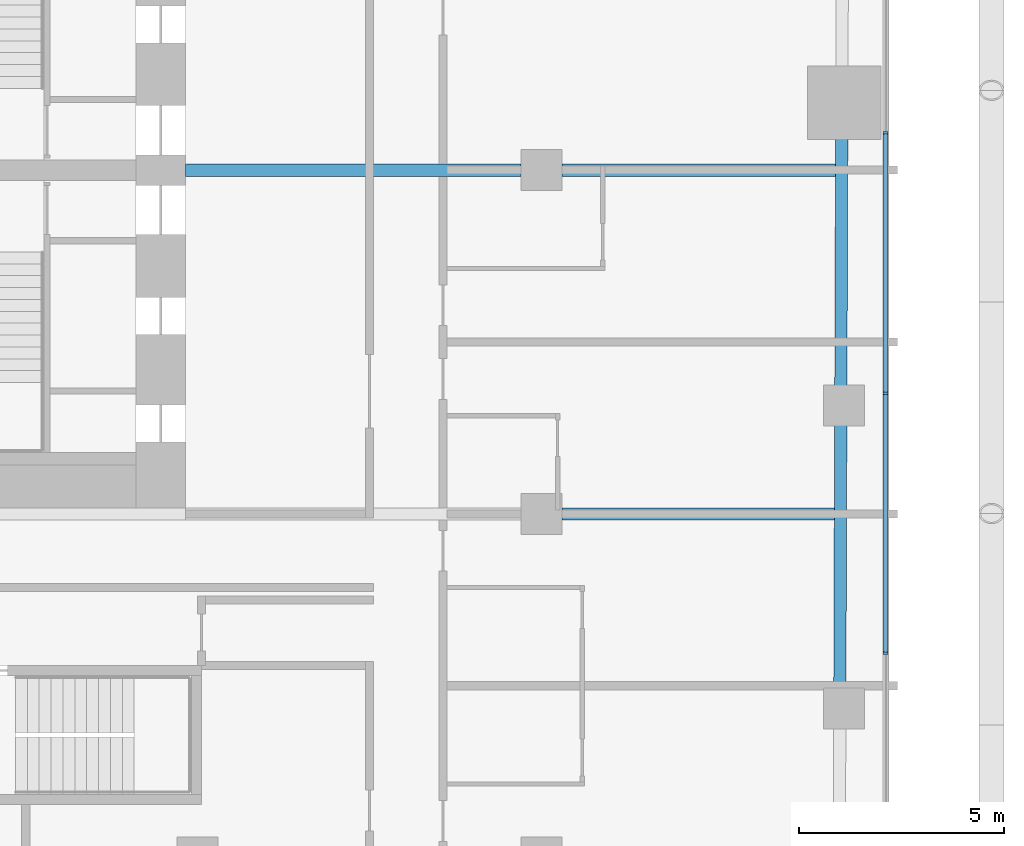
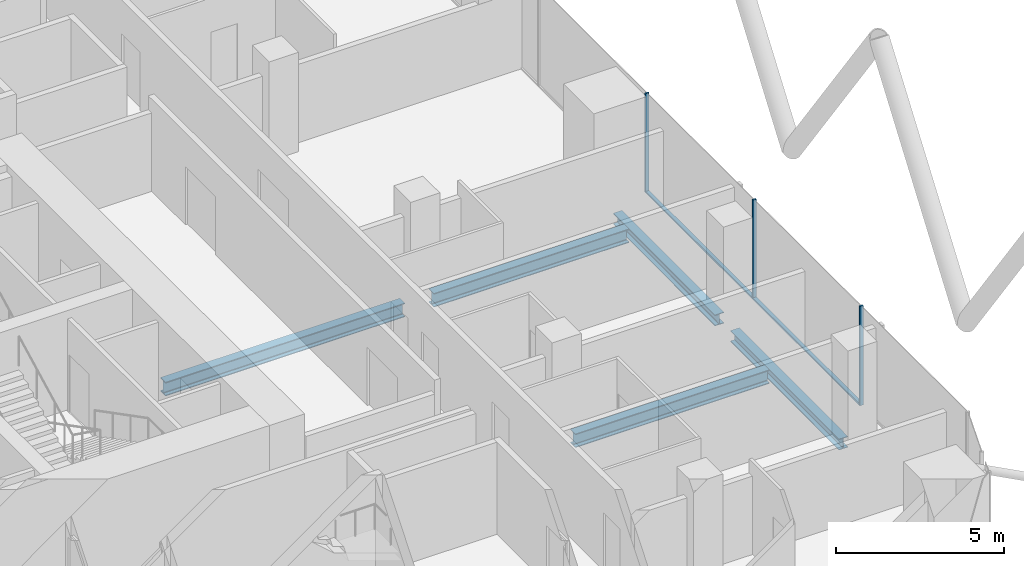
# One storey, part 8 of 35: 5 beams, 5 members, 1 element without a shape of its own.
"""IFC4 building model written with IfcOpenShell, lengths in metres."""

from ifc_helpers import new_model, si_unit, direction, frame, origin, origin_2d, place, context, subcontext, project, spatial, rectangle, i_section, extrude, material, layer, layer_set, material_profile, profile_set, type_object, element, aggregate, save


model = new_model("IFC4")

# Units and contexts
model_context = context("Model", 3, precision=1e-05, world=origin(), true_north=direction((0.0, 1.0)))
body_context = subcontext(model_context, "Body", "Model", "MODEL_VIEW")
ifc_project = project(units=[si_unit("LENGTHUNIT", "METRE"), si_unit("AREAUNIT", "SQUARE_METRE"), si_unit("VOLUMEUNIT", "CUBIC_METRE"), si_unit("PLANEANGLEUNIT", "RADIAN"), si_unit("MASSUNIT", "GRAM", prefix="KILO")], contexts=[model_context])

# Site, building, storey
site_placement = place(None, origin())
site = spatial("IfcSite", under=ifc_project, at=site_placement, CompositionType="ELEMENT")
building_placement = place(site_placement, origin())
building = spatial("IfcBuilding", under=site, at=building_placement, Name="Marenta Gate Hotel Tower", CompositionType="ELEMENT")
storey_placement = place(building_placement, frame((0.0, 0.0, 61.699951171875)))
storey = spatial("IfcBuildingStorey", under=building, at=storey_placement, Name="L13", CompositionType="ELEMENT", Elevation=61.699951171875)

# Beams
ifc_material_1 = material(Name="Steel S355", Category="steel")
ifc_material_profile_1 = material_profile(ifc_material_1, i_section(OverallWidth=0.300048828125, OverallDepth=0.39990234375, WebThickness=0.013427734375, FlangeThickness=0.02392578125, FilletRadius=0.027099609375, at=origin_2d()), Name="HEB 400")
ifc_profile_set_1 = profile_set([ifc_material_profile_1], Name="Steel S355")
beam_type_1 = type_object("IfcBeamType", Name="Edge beam HEB 400", PredefinedType="SPANDREL", material=ifc_profile_set_1)
beam_1_placement = place(storey_placement, frame((28.3388671875, 9.18994140625, -0.4599609375), z_axis=(-0.003332378012, -0.999994447613, 0.0), x_axis=(0.999994447613, -0.003332378012, 0.0)))
element("IfcBeam", 1, at=beam_1_placement, inside=storey, type_object=beam_type_1, Name="L13-EB-25", PredefinedType="SPANDREL", context=body_context, shape_type="SweptSolid", body=[
    extrude(i_section(OverallWidth=0.300048828125, OverallDepth=0.39990234375, WebThickness=0.013427734375, FlangeThickness=0.02392578125, FilletRadius=0.027099609375, at=origin_2d()), origin(), (0.0, 0.0, 1.0), 6.080810546875),
])
beam_2_placement = place(storey_placement, frame((28.315673828125, 2.189208984375, -0.4599609375), z_axis=(-0.003352525703, -0.99999438027, 0.0), x_axis=(0.99999438027, -0.003352525703, 0.0)))
element("IfcBeam", 2, at=beam_2_placement, inside=storey, type_object=beam_type_1, Name="L13-EB-26", PredefinedType="SPANDREL", context=body_context, shape_type="SweptSolid", body=[
    extrude(i_section(OverallWidth=0.300048828125, OverallDepth=0.39990234375, WebThickness=0.013427734375, FlangeThickness=0.02392578125, FilletRadius=0.027099609375, at=origin_2d()), origin(), (0.0, 0.0, 1.0), 6.481201171875),
])
ifc_material_2 = material(Name="Steel S355", Category="steel")
ifc_material_profile_2 = material_profile(ifc_material_2, i_section(OverallWidth=0.300048828125, OverallDepth=0.5, WebThickness=0.014404296875, FlangeThickness=0.028076171875, FilletRadius=0.027099609375, at=origin_2d()), Name="HEB 500")
ifc_profile_set_2 = profile_set([ifc_material_profile_2], Name="Steel S355")
beam_type_2 = type_object("IfcBeamType", Name="Girder HEB 500", PredefinedType="BEAM", material=ifc_profile_set_2)
beam_3_placement = place(storey_placement, frame((21.5, 0.0, -0.510009765625), z_axis=(1.0, 0.0, 0.0), x_axis=(0.0, 1.0, 0.0)))
element("IfcBeam", 3, at=beam_3_placement, inside=storey, type_object=beam_type_2, Name="L13-GD-12", PredefinedType="BEAM", context=body_context, shape_type="SweptSolid", body=[
    extrude(i_section(OverallWidth=0.300048828125, OverallDepth=0.5, WebThickness=0.014404296875, FlangeThickness=0.028076171875, FilletRadius=0.027099609375, at=origin_2d()), origin(), (0.0, 0.0, 1.0), 6.658203125),
])
beam_4_placement = place(storey_placement, frame((12.300048828125, 8.39990234375, -0.510009765625), z_axis=(1.0, 0.0, 0.0), x_axis=(0.0, 1.0, 0.0)))
element("IfcBeam", 4, at=beam_4_placement, inside=storey, type_object=beam_type_2, Name="L13-GD-15", PredefinedType="BEAM", context=body_context, shape_type="SweptSolid", body=[
    extrude(i_section(OverallWidth=0.300048828125, OverallDepth=0.5, WebThickness=0.014404296875, FlangeThickness=0.028076171875, FilletRadius=0.027099609375, at=origin_2d()), origin(), (0.0, 0.0, 1.0), 8.199951171875),
])
beam_5_placement = place(storey_placement, frame((21.5, 8.39990234375, -0.510009765625), z_axis=(1.0, 0.0, 0.0), x_axis=(0.0, 1.0, 0.0)))
element("IfcBeam", 5, at=beam_5_placement, inside=storey, type_object=beam_type_2, Name="L13-GD-16", PredefinedType="BEAM", context=body_context, shape_type="SweptSolid", body=[
    extrude(i_section(OverallWidth=0.300048828125, OverallDepth=0.5, WebThickness=0.014404296875, FlangeThickness=0.028076171875, FilletRadius=0.027099609375, at=origin_2d()), origin(), (0.0, 0.0, 1.0), 6.686279296875),
])

# Curtain wall, members
ifc_material_3 = material(Name="Tinted insulated glass in bronze anodised frame", Category="glass")
ifc_layer = layer(ifc_material_3, 0.1201171875)
ifc_layer_set = layer_set([ifc_layer], Name="Tinted insulated glass in bronze anodised frame")
curtain_wall_type = type_object("IfcCurtainWallType", Name="Tower unitised curtain wall CW1", PredefinedType="NOTDEFINED", material=ifc_layer_set)
curtain_wall_placement = place(storey_placement, origin())
curtain_wall = element("IfcCurtainWall", 6, at=curtain_wall_placement, inside=storey, type_object=curtain_wall_type, Name="CW1 run G18", PredefinedType="NOTDEFINED")
ifc_material_4 = material(Name="Bronze anodised aluminium", Category="aluminium")
ifc_material_profile_3 = material_profile(ifc_material_4, rectangle(XDim=0.1201171875, YDim=0.06005859375, at=origin_2d()), Name="Mullion CW1 60x120 bronze anodised aluminium")
ifc_profile_set_3 = profile_set([ifc_material_profile_3], Name="Bronze anodised aluminium")
member_type_1 = type_object("IfcMemberType", Name="Mullion CW1 60x120 bronze anodised aluminium", PredefinedType="MULLION", material=ifc_profile_set_3)
member_1_placement = place(storey_placement, frame((29.4140625, -3.407958984375, 0.0), z_axis=(0.0, 0.0, 1.0), x_axis=(-1.0, 0.0, 0.0)))
member_1 = element("IfcMember", 7, at=member_1_placement, type_object=member_type_1, Name="CW1 mullion 2", PredefinedType="MULLION", context=body_context, shape_type="SweptSolid", body=[
    extrude(rectangle(XDim=0.1201171875, YDim=0.06005859375, at=origin_2d()), origin(), (0.0, 0.0, 1.0), 3.60009765625),
])
member_2_placement = place(storey_placement, frame((29.4140625, 2.951904296875, 0.0), z_axis=(0.0, 0.0, 1.0), x_axis=(-1.0, 0.0, 0.0)))
member_2 = element("IfcMember", 8, at=member_2_placement, type_object=member_type_1, Name="CW1 mullion 3", PredefinedType="MULLION", context=body_context, shape_type="SweptSolid", body=[
    extrude(rectangle(XDim=0.1201171875, YDim=0.06005859375, at=origin_2d()), origin(), (0.0, 0.0, 1.0), 3.60009765625),
])
member_3_placement = place(storey_placement, frame((29.4140625, 9.31201171875, 0.0), z_axis=(0.0, 0.0, 1.0), x_axis=(-1.0, 0.0, 0.0)))
member_3 = element("IfcMember", 9, at=member_3_placement, type_object=member_type_1, Name="CW1 mullion 4", PredefinedType="MULLION", context=body_context, shape_type="SweptSolid", body=[
    extrude(rectangle(XDim=0.1201171875, YDim=0.06005859375, at=origin_2d()), origin(), (0.0, 0.0, 1.0), 3.60009765625),
])
ifc_material_5 = material(Name="Bronze anodised aluminium", Category="aluminium")
ifc_material_profile_4 = material_profile(ifc_material_5, rectangle(XDim=0.1201171875, YDim=0.06005859375, at=origin_2d()), Name="Transom CW1 60x120 bronze anodised aluminium")
ifc_profile_set_4 = profile_set([ifc_material_profile_4], Name="Bronze anodised aluminium")
member_type_2 = type_object("IfcMemberType", Name="Transom CW1 60x120 bronze anodised aluminium", PredefinedType="USERDEFINED", material=ifc_profile_set_4)
member_4_placement = place(storey_placement, frame((29.4140625, -3.3779296875, 0.030029296875), z_axis=(0.0, 1.0, 0.0), x_axis=(-1.0, 0.0, 0.0)))
member_4 = element("IfcMember", 10, at=member_4_placement, type_object=member_type_2, Name="CW1 transom 2.1", ObjectType="TRANSOM", PredefinedType="USERDEFINED", context=body_context, shape_type="SweptSolid", body=[
    extrude(rectangle(XDim=0.1201171875, YDim=0.06005859375, at=origin_2d()), origin(), (0.0, 0.0, 1.0), 6.2998046875),
])
member_5_placement = place(storey_placement, frame((29.4140625, 2.98193359375, 0.030029296875), z_axis=(0.0, 1.0, 0.0), x_axis=(-1.0, 0.0, 0.0)))
member_5 = element("IfcMember", 11, at=member_5_placement, type_object=member_type_2, Name="CW1 transom 3.1", ObjectType="TRANSOM", PredefinedType="USERDEFINED", context=body_context, shape_type="SweptSolid", body=[
    extrude(rectangle(XDim=0.1201171875, YDim=0.06005859375, at=origin_2d()), origin(), (0.0, 0.0, 1.0), 6.300048828125),
])
aggregate(curtain_wall, [member_1, member_2, member_3, member_4, member_5])

save(model, "model.ifc")
